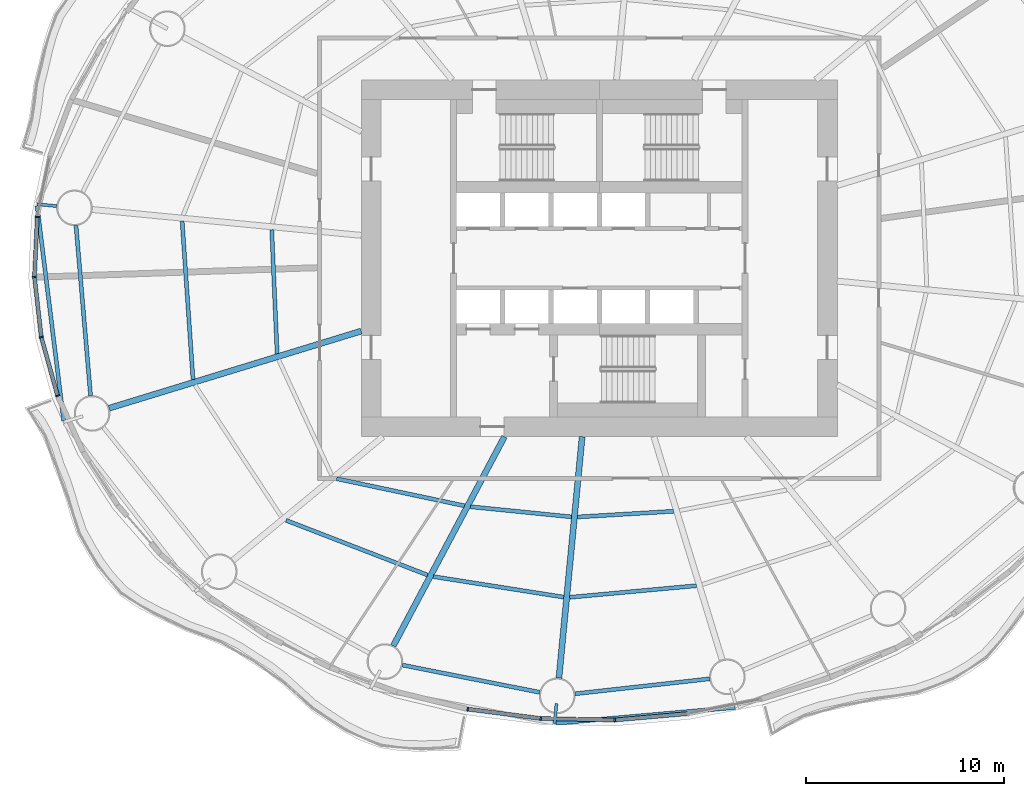
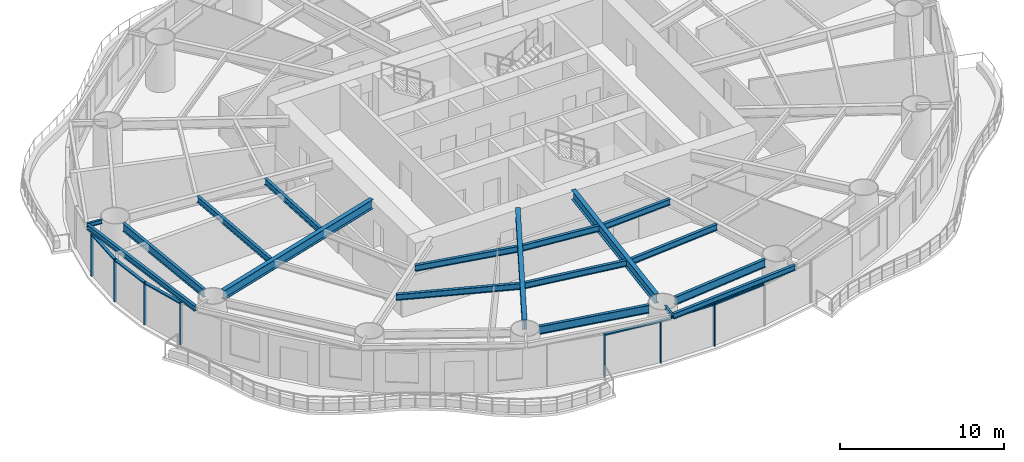
# One storey, part 2 of 16: 18 beams, 13 members, 6 elements without a shape of their own.
"""IFC4 building model written with IfcOpenShell, lengths in metres."""

from ifc_helpers import new_model, si_unit, direction, frame, origin, origin_2d, place, context, subcontext, project, spatial, rectangle, i_section, extrude, material, material_profile, profile_set, type_object, element, aggregate, save


model = new_model("IFC4")

# Units and contexts
model_context = context("Model", 3, precision=1e-05, world=origin(), true_north=direction((0.0, 1.0)))
body_context = subcontext(model_context, "Body", "Model", "MODEL_VIEW")
ifc_project = project(units=[si_unit("LENGTHUNIT", "METRE"), si_unit("AREAUNIT", "SQUARE_METRE"), si_unit("VOLUMEUNIT", "CUBIC_METRE"), si_unit("PLANEANGLEUNIT", "RADIAN"), si_unit("MASSUNIT", "GRAM", prefix="KILO")], contexts=[model_context])

# Site, building, storey
site_placement = place(None, origin())
site = spatial("IfcSite", under=ifc_project, at=site_placement, CompositionType="ELEMENT")
building_placement = place(site_placement, origin())
building = spatial("IfcBuilding", under=site, at=building_placement, Name="Vermilion Reach Broadcast Tower", CompositionType="ELEMENT")
storey_placement = place(building_placement, frame((0.0, 0.0, 43.39990234375)))
storey = spatial("IfcBuildingStorey", under=building, at=storey_placement, Name="L07", CompositionType="ELEMENT", Elevation=43.39990234375)

# Beams
ifc_material_1 = material(Name="Steel S355J2", Category="steel")
ifc_material_profile_1 = material_profile(ifc_material_1, i_section(OverallWidth=0.199951171875, OverallDepth=0.39990234375, WebThickness=0.008056640625, FlangeThickness=0.012939453125, at=origin_2d()), Name="S355J2 HN 400x200x8x13")
ifc_profile_set_1 = profile_set([ifc_material_profile_1], Name="Steel S355J2")
beam_type_1 = type_object("IfcBeamType", Name="EB1 HN 400x200x8x13", PredefinedType="BEAM", material=ifc_profile_set_1)
beam_1_placement = place(storey_placement, frame((-34.35009765625, 2.6494140625, 3.35009765625), z_axis=(0.122873048381, -0.992422396957, 0.0), x_axis=(0.992422396957, 0.122873048381, 0.0)))
element("IfcBeam", 1, at=beam_1_placement, inside=storey, type_object=beam_type_1, Name="Edge beam EB1-08", PredefinedType="BEAM", context=body_context, shape_type="SweptSolid", body=[
    extrude(i_section(OverallWidth=0.199951171875, OverallDepth=0.39990234375, WebThickness=0.008056640625, FlangeThickness=0.012939453125, at=origin_2d()), origin(), (0.0, 0.0, 1.0), 10.916259765625),
])
beam_2_placement = place(storey_placement, frame((-8.17822265625, -23.44775390625, 3.35009765625), z_axis=(0.996123258069, 0.087968487166, 0.0), x_axis=(-0.087968487166, 0.996123258069, 0.0)))
element("IfcBeam", 2, at=beam_2_placement, inside=storey, type_object=beam_type_1, Name="Edge beam EB1-12", PredefinedType="BEAM", context=body_context, shape_type="SweptSolid", body=[
    extrude(i_section(OverallWidth=0.199951171875, OverallDepth=0.39990234375, WebThickness=0.008056640625, FlangeThickness=0.012939453125, at=origin_2d()), origin(), (0.0, 0.0, 1.0), 9.064208984375),
])
ifc_material_2 = material(Name="Steel S355J2", Category="steel")
ifc_material_profile_2 = material_profile(ifc_material_2, i_section(OverallWidth=0.300048828125, OverallDepth=0.699951171875, WebThickness=0.012939453125, FlangeThickness=0.02392578125, at=origin_2d()), Name="S355J2 HN 700x300x13x24")
ifc_profile_set_2 = profile_set([ifc_material_profile_2], Name="Steel S355J2")
beam_type_2 = type_object("IfcBeamType", Name="G1 HN 700x300x13x24", PredefinedType="BEAM", material=ifc_profile_set_2)
beam_3_placement = place(storey_placement, frame((-18.0, -3.671142578125, 3.2001953125), z_axis=(-0.956255735186, -0.292531996409, 0.0), x_axis=(0.292531996409, -0.956255735186, 0.0)))
element("IfcBeam", 3, at=beam_3_placement, inside=storey, type_object=beam_type_2, Name="Girder G1-09", PredefinedType="BEAM", context=body_context, shape_type="SweptSolid", body=[
    extrude(i_section(OverallWidth=0.300048828125, OverallDepth=0.699951171875, WebThickness=0.012939453125, FlangeThickness=0.02392578125, at=origin_2d()), origin(), (0.0, 0.0, 1.0), 13.29638671875),
])
beam_4_placement = place(storey_placement, frame((-10.783447265625, -9.0, 3.2001953125), z_axis=(-0.469312182262, -0.883032318537, 0.0), x_axis=(0.883032318537, -0.469312182262, 0.0)))
element("IfcBeam", 4, at=beam_4_placement, inside=storey, type_object=beam_type_2, Name="Girder G1-11", PredefinedType="BEAM", context=body_context, shape_type="SweptSolid", body=[
    extrude(i_section(OverallWidth=0.300048828125, OverallDepth=0.699951171875, WebThickness=0.012939453125, FlangeThickness=0.02392578125, at=origin_2d()), origin(), (0.0, 0.0, 1.0), 11.94091796875),
])
beam_5_placement = place(storey_placement, frame((-6.864990234375, -9.0, 3.2001953125), z_axis=(-0.09566673912, -0.995413419151, 0.0), x_axis=(0.995413419151, -0.09566673912, 0.0)))
element("IfcBeam", 5, at=beam_5_placement, inside=storey, type_object=beam_type_2, Name="Girder G1-12", PredefinedType="BEAM", context=body_context, shape_type="SweptSolid", body=[
    extrude(i_section(OverallWidth=0.300048828125, OverallDepth=0.699951171875, WebThickness=0.012939453125, FlangeThickness=0.02392578125, at=origin_2d()), origin(), (0.0, 0.0, 1.0), 12.22412109375),
])
ifc_material_3 = material(Name="Steel S355J2", Category="steel")
ifc_material_profile_3 = material_profile(ifc_material_3, i_section(OverallWidth=0.14990234375, OverallDepth=0.300048828125, WebThickness=0.006591796875, FlangeThickness=0.009033203125, at=origin_2d()), Name="S355J2 HN 300x150x6.5x9")
ifc_profile_set_3 = profile_set([ifc_material_profile_3], Name="Steel S355J2")
beam_type_3 = type_object("IfcBeamType", Name="GS1 HN 300x150x6.5x9", PredefinedType="BEAM", material=ifc_profile_set_3)
beam_6_placement = place(storey_placement, frame((-33.360107421875, 2.629638671875, 3.400146484375), z_axis=(-0.99540100718, 0.095795797955, 0.0), x_axis=(-0.095795797955, -0.99540100718, 0.0)))
element("IfcBeam", 6, at=beam_6_placement, inside=storey, type_object=beam_type_3, Name="Cantilever stub GS1-08", PredefinedType="BEAM", context=body_context, shape_type="SweptSolid", body=[
    extrude(i_section(OverallWidth=0.14990234375, OverallDepth=0.300048828125, WebThickness=0.006591796875, FlangeThickness=0.009033203125, at=origin_2d()), origin(), (0.0, 0.0, 1.0), 1.004150390625),
])
beam_7_placement = place(storey_placement, frame((-8.15869140625, -22.458984375, 3.400146484375), z_axis=(-0.095707754417, -0.995409476419, 0.0), x_axis=(0.995409476419, -0.095707754417, 0.0)))
element("IfcBeam", 7, at=beam_7_placement, inside=storey, type_object=beam_type_3, Name="Cantilever stub GS1-12", PredefinedType="BEAM", context=body_context, shape_type="SweptSolid", body=[
    extrude(i_section(OverallWidth=0.14990234375, OverallDepth=0.300048828125, WebThickness=0.006591796875, FlangeThickness=0.009033203125, at=origin_2d()), origin(), (0.0, 0.0, 1.0), 1.0),
])
ifc_material_4 = material(Name="Steel S355J2", Category="steel")
ifc_material_profile_4 = material_profile(ifc_material_4, i_section(OverallWidth=0.199951171875, OverallDepth=0.60009765625, WebThickness=0.010986328125, FlangeThickness=0.01708984375, at=origin_2d()), Name="S355J2 HN 600x200x11x17")
ifc_profile_set_4 = profile_set([ifc_material_profile_4], Name="Steel S355J2")
beam_type_4 = type_object("IfcBeamType", Name="RB1 HN 600x200x11x17", PredefinedType="BEAM", material=ifc_profile_set_4)
beam_8_placement = place(storey_placement, frame((-32.38720703125, 1.646728515625, 3.25), z_axis=(0.085395508608, -0.996347131832, 0.0), x_axis=(0.996347131832, 0.085395508608, 0.0)))
element("IfcBeam", 8, at=beam_8_placement, inside=storey, type_object=beam_type_4, Name="Ring beam RB1-08", PredefinedType="BEAM", context=body_context, shape_type="SweptSolid", body=[
    extrude(i_section(OverallWidth=0.199951171875, OverallDepth=0.60009765625, WebThickness=0.010986328125, FlangeThickness=0.01708984375, at=origin_2d()), origin(), (0.0, 0.0, 1.0), 8.60546875),
])
beam_9_placement = place(storey_placement, frame((-15.927001953125, -20.51416015625, 3.25), z_axis=(0.980857717995, -0.194725799651, 0.0), x_axis=(0.194725799651, 0.980857717995, 0.0)))
element("IfcBeam", 9, at=beam_9_placement, inside=storey, type_object=beam_type_4, Name="Ring beam RB1-11", PredefinedType="BEAM", context=body_context, shape_type="SweptSolid", body=[
    extrude(i_section(OverallWidth=0.199951171875, OverallDepth=0.60009765625, WebThickness=0.010986328125, FlangeThickness=0.01708984375, at=origin_2d()), origin(), (0.0, 0.0, 1.0), 7.05859375),
])
beam_10_placement = place(storey_placement, frame((-7.22607421875, -21.964111328125, 3.25), z_axis=(0.993851439324, 0.110721798009, 0.0), x_axis=(-0.110721798009, 0.993851439324, 0.0)))
element("IfcBeam", 10, at=beam_10_placement, inside=storey, type_object=beam_type_4, Name="Ring beam RB1-12", PredefinedType="BEAM", context=body_context, shape_type="SweptSolid", body=[
    extrude(i_section(OverallWidth=0.199951171875, OverallDepth=0.60009765625, WebThickness=0.010986328125, FlangeThickness=0.01708984375, at=origin_2d()), origin(), (0.0, 0.0, 1.0), 6.8310546875),
])
ifc_material_5 = material(Name="Steel S355J2", Category="steel")
ifc_material_profile_5 = material_profile(ifc_material_5, i_section(OverallWidth=0.199951171875, OverallDepth=0.449951171875, WebThickness=0.009033203125, FlangeThickness=0.013916015625, at=origin_2d()), Name="S355J2 HN 450x200x9x14")
ifc_profile_set_5 = profile_set([ifc_material_profile_5], Name="Steel S355J2")
beam_type_5 = type_object("IfcBeamType", Name="SB1 HN 450x200x9x14", PredefinedType="BEAM", material=ifc_profile_set_5)
beam_11_placement = place(storey_placement, frame((-22.51611328125, 1.436767578125, 3.3251953125), z_axis=(0.043361007512, -0.999059469215, 0.0), x_axis=(0.999059469215, 0.043361007512, 0.0)))
element("IfcBeam", 11, at=beam_11_placement, inside=storey, type_object=beam_type_5, Name="Secondary beam SB1-08-1", PredefinedType="BEAM", context=body_context, shape_type="SweptSolid", body=[
    extrude(i_section(OverallWidth=0.199951171875, OverallDepth=0.449951171875, WebThickness=0.009033203125, FlangeThickness=0.013916015625, at=origin_2d()), origin(), (0.0, 0.0, 1.0), 6.25537109375),
])
beam_12_placement = place(storey_placement, frame((-27.03515625, 1.87109375, 3.3251953125), z_axis=(0.068507801475, -0.997650580683, 0.0), x_axis=(0.997650580683, 0.068507801475, 0.0)))
element("IfcBeam", 12, at=beam_12_placement, inside=storey, type_object=beam_type_5, Name="Secondary beam SB1-08-2", PredefinedType="BEAM", context=body_context, shape_type="SweptSolid", body=[
    extrude(i_section(OverallWidth=0.199951171875, OverallDepth=0.449951171875, WebThickness=0.009033203125, FlangeThickness=0.013916015625, at=origin_2d()), origin(), (0.0, 0.0, 1.0), 8.00048828125),
])
beam_13_placement = place(storey_placement, frame((-19.24560546875, -11.1171875, 3.3251953125), z_axis=(0.978270372412, -0.207333254596, 0.0), x_axis=(0.207333254596, 0.978270372412, 0.0)))
element("IfcBeam", 13, at=beam_13_placement, inside=storey, type_object=beam_type_5, Name="Secondary beam SB1-10-1", PredefinedType="BEAM", context=body_context, shape_type="SweptSolid", body=[
    extrude(i_section(OverallWidth=0.199951171875, OverallDepth=0.449951171875, WebThickness=0.009033203125, FlangeThickness=0.013916015625, at=origin_2d()), origin(), (0.0, 0.0, 1.0), 6.584716796875),
])
beam_14_placement = place(storey_placement, frame((-21.7919921875, -13.217041015625, 3.3251953125), z_axis=(0.932680743753, -0.360702966765, 0.0), x_axis=(0.360702966765, 0.932680743753, 0.0)))
element("IfcBeam", 14, at=beam_14_placement, inside=storey, type_object=beam_type_5, Name="Secondary beam SB1-10-2", PredefinedType="BEAM", context=body_context, shape_type="SweptSolid", body=[
    extrude(i_section(OverallWidth=0.199951171875, OverallDepth=0.449951171875, WebThickness=0.009033203125, FlangeThickness=0.013916015625, at=origin_2d()), origin(), (0.0, 0.0, 1.0), 7.646240234375),
])
beam_15_placement = place(storey_placement, frame((-12.490234375, -12.531005859375, 3.3251953125), z_axis=(0.995010199331, -0.099773259079, 0.0), x_axis=(0.099773259079, 0.995010199331, 0.0)))
element("IfcBeam", 15, at=beam_15_placement, inside=storey, type_object=beam_type_5, Name="Secondary beam SB1-11-1", PredefinedType="BEAM", context=body_context, shape_type="SweptSolid", body=[
    extrude(i_section(OverallWidth=0.199951171875, OverallDepth=0.449951171875, WebThickness=0.009033203125, FlangeThickness=0.013916015625, at=origin_2d()), origin(), (0.0, 0.0, 1.0), 5.111572265625),
])
beam_16_placement = place(storey_placement, frame((-14.36279296875, -16.05419921875, 3.3251953125), z_axis=(0.987829548379, -0.155540294938, 0.0), x_axis=(0.155540294938, 0.987829548379, 0.0)))
element("IfcBeam", 16, at=beam_16_placement, inside=storey, type_object=beam_type_5, Name="Secondary beam SB1-11-2", PredefinedType="BEAM", context=body_context, shape_type="SweptSolid", body=[
    extrude(i_section(OverallWidth=0.199951171875, OverallDepth=0.449951171875, WebThickness=0.009033203125, FlangeThickness=0.013916015625, at=origin_2d()), origin(), (0.0, 0.0, 1.0), 6.650634765625),
])
beam_17_placement = place(storey_placement, frame((-7.103271484375, -13.046875, 3.3251953125), z_axis=(0.99823410974, 0.059402543307, 0.0), x_axis=(-0.059402543307, 0.99823410974, 0.0)))
element("IfcBeam", 17, at=beam_17_placement, inside=storey, type_object=beam_type_5, Name="Secondary beam SB1-12-1", PredefinedType="BEAM", context=body_context, shape_type="SweptSolid", body=[
    extrude(i_section(OverallWidth=0.199951171875, OverallDepth=0.449951171875, WebThickness=0.009033203125, FlangeThickness=0.013916015625, at=origin_2d()), origin(), (0.0, 0.0, 1.0), 4.85791015625),
])
beam_18_placement = place(storey_placement, frame((-7.49267578125, -17.09814453125, 3.3251953125), z_axis=(0.995818616382, 0.091352521952, 0.0), x_axis=(-0.091352521952, 0.995818616382, 0.0)))
element("IfcBeam", 18, at=beam_18_placement, inside=storey, type_object=beam_type_5, Name="Secondary beam SB1-12-2", PredefinedType="BEAM", context=body_context, shape_type="SweptSolid", body=[
    extrude(i_section(OverallWidth=0.199951171875, OverallDepth=0.449951171875, WebThickness=0.009033203125, FlangeThickness=0.013916015625, at=origin_2d()), origin(), (0.0, 0.0, 1.0), 6.4140625),
])

# Curtain wall, member
ifc_material_6 = material(Name="Low-e laminated clear glass in aluminium frame", Category="aluminium")
curtain_wall_type = type_object("IfcCurtainWallType", Name="Slot curtain wall", PredefinedType="NOTDEFINED", material=ifc_material_6)
placement = place(storey_placement, origin())
curtain_wall_1 = element("IfcCurtainWall", 19, at=placement, inside=storey, type_object=curtain_wall_type, Name="Slot curtain wall L07 23", PredefinedType="NOTDEFINED")
ifc_material_7 = material(Name="Anodised aluminium", Category="aluminium")
ifc_material_profile_6 = material_profile(ifc_material_7, rectangle(XDim=0.199951171875, YDim=0.080078125, at=origin_2d()), Name="Slot mullion 80 x 200")
ifc_profile_set_6 = profile_set([ifc_material_profile_6], Name="Anodised aluminium")
member_type_1 = type_object("IfcMemberType", Name="Slot mullion 80 x 200", PredefinedType="MULLION", material=ifc_profile_set_6)
member_1_placement = place(storey_placement, frame((-34.3408203125, 2.084228515625, 0.0), z_axis=(0.0, 0.0, 1.0), x_axis=(0.992139021063, -0.12514057249, 0.0)))
member_1 = element("IfcMember", 20, at=member_1_placement, type_object=member_type_1, Name="Slot mullion L07 23", PredefinedType="MULLION", context=body_context, shape_type="SweptSolid", body=[
    extrude(rectangle(XDim=0.199951171875, YDim=0.080078125, at=origin_2d()), origin(), (0.0, 0.0, 1.0), 3.150146484375),
])

curtain_wall_2 = element("IfcCurtainWall", 21, at=placement, inside=storey, type_object=curtain_wall_type, Name="Slot curtain wall L07 24", PredefinedType="NOTDEFINED")
member_2_placement = place(storey_placement, frame((-34.481689453125, -0.954833984375, 0.0), z_axis=(0.0, 0.0, 1.0), x_axis=(0.99943858541, 0.033503939971, 0.0)))
member_2 = element("IfcMember", 22, at=member_2_placement, type_object=member_type_1, Name="Slot mullion L07 24", PredefinedType="MULLION", context=body_context, shape_type="SweptSolid", body=[
    extrude(rectangle(XDim=0.199951171875, YDim=0.080078125, at=origin_2d()), origin(), (0.0, 0.0, 1.0), 3.150146484375),
])

# Curtain wall, members
curtain_wall_3 = element("IfcCurtainWall", 23, at=placement, inside=storey, type_object=curtain_wall_type, Name="Slot curtain wall L07 25", PredefinedType="NOTDEFINED")
member_3_placement = place(storey_placement, frame((-34.1376953125, -3.9775390625, 0.0), z_axis=(0.0, 0.0, 1.0), x_axis=(0.981530895838, 0.191303686624, 0.0)))
member_3 = element("IfcMember", 24, at=member_3_placement, type_object=member_type_1, Name="Slot mullion L07 25", PredefinedType="MULLION", context=body_context, shape_type="SweptSolid", body=[
    extrude(rectangle(XDim=0.199951171875, YDim=0.080078125, at=origin_2d()), origin(), (0.0, 0.0, 1.0), 3.150146484375),
])
member_4_placement = place(storey_placement, frame((-33.314208984375, -6.933349609375, 0.0), z_axis=(0.0, 0.0, 1.0), x_axis=(0.93973184095, 0.341912367581, 0.0)))
member_4 = element("IfcMember", 25, at=member_4_placement, type_object=member_type_1, Name="Slot mullion L07 26", PredefinedType="MULLION", context=body_context, shape_type="SweptSolid", body=[
    extrude(rectangle(XDim=0.199951171875, YDim=0.080078125, at=origin_2d()), origin(), (0.0, 0.0, 1.0), 3.150146484375),
])

# Curtain wall, member
curtain_wall_4 = element("IfcCurtainWall", 26, at=placement, inside=storey, type_object=curtain_wall_type, Name="Slot curtain wall L07 34", PredefinedType="NOTDEFINED")
member_5_placement = place(storey_placement, frame((-12.631103515625, -22.73583984375, 0.0), z_axis=(0.0, 0.0, 1.0), x_axis=(0.181909397555, 0.983315295865, 0.0)))
member_5 = element("IfcMember", 27, at=member_5_placement, type_object=member_type_1, Name="Slot mullion L07 34", PredefinedType="MULLION", context=body_context, shape_type="SweptSolid", body=[
    extrude(rectangle(XDim=0.199951171875, YDim=0.080078125, at=origin_2d()), origin(), (0.0, 0.0, 1.0), 3.150146484375),
])

curtain_wall_5 = element("IfcCurtainWall", 28, at=placement, inside=storey, type_object=curtain_wall_type, Name="Slot curtain wall L07 35", PredefinedType="NOTDEFINED")
member_6_placement = place(storey_placement, frame((-8.95068359375, -23.2099609375, 0.0), z_axis=(0.0, 0.0, 1.0), x_axis=(0.074037716233, 0.997255441988, 0.0)))
member_6 = element("IfcMember", 29, at=member_6_placement, type_object=member_type_1, Name="Slot mullion L07 35", PredefinedType="MULLION", context=body_context, shape_type="SweptSolid", body=[
    extrude(rectangle(XDim=0.199951171875, YDim=0.080078125, at=origin_2d()), origin(), (0.0, 0.0, 1.0), 3.150146484375),
])

curtain_wall_6 = element("IfcCurtainWall", 30, at=placement, inside=storey, type_object=curtain_wall_type, Name="Slot curtain wall L07 36", PredefinedType="NOTDEFINED")
member_7_placement = place(storey_placement, frame((-5.219482421875, -23.284912109375, 0.0), z_axis=(0.0, 0.0, 1.0), x_axis=(-0.033503993086, 0.999438583629, 0.0)))
member_7 = element("IfcMember", 31, at=member_7_placement, type_object=member_type_1, Name="Slot mullion L07 36", PredefinedType="MULLION", context=body_context, shape_type="SweptSolid", body=[
    extrude(rectangle(XDim=0.199951171875, YDim=0.080078125, at=origin_2d()), origin(), (0.0, 0.0, 1.0), 3.150146484375),
])

# Member
ifc_material_8 = material(Name="Anodised aluminium", Category="aluminium")
ifc_material_profile_7 = material_profile(ifc_material_8, rectangle(XDim=0.199951171875, YDim=0.10009765625, at=origin_2d()), Name="Slot transom 200 x 100")
ifc_profile_set_7 = profile_set([ifc_material_profile_7], Name="Anodised aluminium")
member_type_2 = type_object("IfcMemberType", Name="Slot transom 200 x 100", PredefinedType="USERDEFINED", material=ifc_profile_set_7)
member_8_placement = place(storey_placement, frame((-34.3427734375, 2.044189453125, 3.10009765625), z_axis=(-0.046237623201, -0.998930469152, 0.0), x_axis=(0.998930469152, -0.046237623201, 0.0)))
member_8 = element("IfcMember", 32, at=member_8_placement, type_object=member_type_2, Name="Slot transom L07 23.1", ObjectType="TRANSOM", PredefinedType="USERDEFINED", context=body_context, shape_type="SweptSolid", body=[
    extrude(rectangle(XDim=0.199951171875, YDim=0.10009765625, at=origin_2d()), origin(), (0.0, 0.0, 1.0), 2.962158203125),
])

aggregate(curtain_wall_1, [member_1, member_8])

member_9_placement = place(storey_placement, frame((-34.47705078125, -0.99462890625, 3.10009765625), z_axis=(0.113081673561, -0.993585695904, 0.0), x_axis=(0.993585695904, 0.113081673561, 0.0)))
member_9 = element("IfcMember", 33, at=member_9_placement, type_object=member_type_2, Name="Slot transom L07 24.1", ObjectType="TRANSOM", PredefinedType="USERDEFINED", context=body_context, shape_type="SweptSolid", body=[
    extrude(rectangle(XDim=0.199951171875, YDim=0.10009765625, at=origin_2d()), origin(), (0.0, 0.0, 1.0), 2.962158203125),
])

aggregate(curtain_wall_2, [member_2, member_9])

member_10_placement = place(storey_placement, frame((-34.126953125, -4.01611328125, 3.10009765625), z_axis=(0.268360062716, -0.963318678704, 0.0), x_axis=(0.963318678704, 0.268360062716, 0.0)))
member_10 = element("IfcMember", 34, at=member_10_placement, type_object=member_type_2, Name="Slot transom L07 25.1", ObjectType="TRANSOM", PredefinedType="USERDEFINED", context=body_context, shape_type="SweptSolid", body=[
    extrude(rectangle(XDim=0.199951171875, YDim=0.10009765625, at=origin_2d()), origin(), (0.0, 0.0, 1.0), 2.988525390625),
])

aggregate(curtain_wall_3, [member_3, member_4, member_10])

member_11_placement = place(storey_placement, frame((-12.59130859375, -22.740966796875, 3.10009765625), z_axis=(0.991804275658, -0.127766501034, 0.0), x_axis=(0.127766501034, 0.991804275658, 0.0)))
member_11 = element("IfcMember", 35, at=member_11_placement, type_object=member_type_2, Name="Slot transom L07 34.1", ObjectType="TRANSOM", PredefinedType="USERDEFINED", context=body_context, shape_type="SweptSolid", body=[
    extrude(rectangle(XDim=0.199951171875, YDim=0.10009765625, at=origin_2d()), origin(), (0.0, 0.0, 1.0), 3.630615234375),
])

aggregate(curtain_wall_4, [member_5, member_11])

member_12_placement = place(storey_placement, frame((-8.91064453125, -23.210693359375, 3.10009765625), z_axis=(0.999797512492, -0.020122972334, 0.0), x_axis=(0.020122972334, 0.999797512492, 0.0)))
member_12 = element("IfcMember", 36, at=member_12_placement, type_object=member_type_2, Name="Slot transom L07 35.1", ObjectType="TRANSOM", PredefinedType="USERDEFINED", context=body_context, shape_type="SweptSolid", body=[
    extrude(rectangle(XDim=0.199951171875, YDim=0.10009765625, at=origin_2d()), origin(), (0.0, 0.0, 1.0), 3.65185546875),
])

aggregate(curtain_wall_5, [member_6, member_12])

member_13_placement = place(storey_placement, frame((-5.1796875, -23.281494140625, 3.10009765625), z_axis=(0.996204883872, 0.08703924029, 0.0), x_axis=(-0.08703924029, 0.996204883872, 0.0)))
member_13 = element("IfcMember", 37, at=member_13_placement, type_object=member_type_2, Name="Slot transom L07 36.1", ObjectType="TRANSOM", PredefinedType="USERDEFINED", context=body_context, shape_type="SweptSolid", body=[
    extrude(rectangle(XDim=0.199951171875, YDim=0.10009765625, at=origin_2d()), origin(), (0.0, 0.0, 1.0), 3.652099609375),
])

aggregate(curtain_wall_6, [member_7, member_13])

save(model, "model.ifc")
